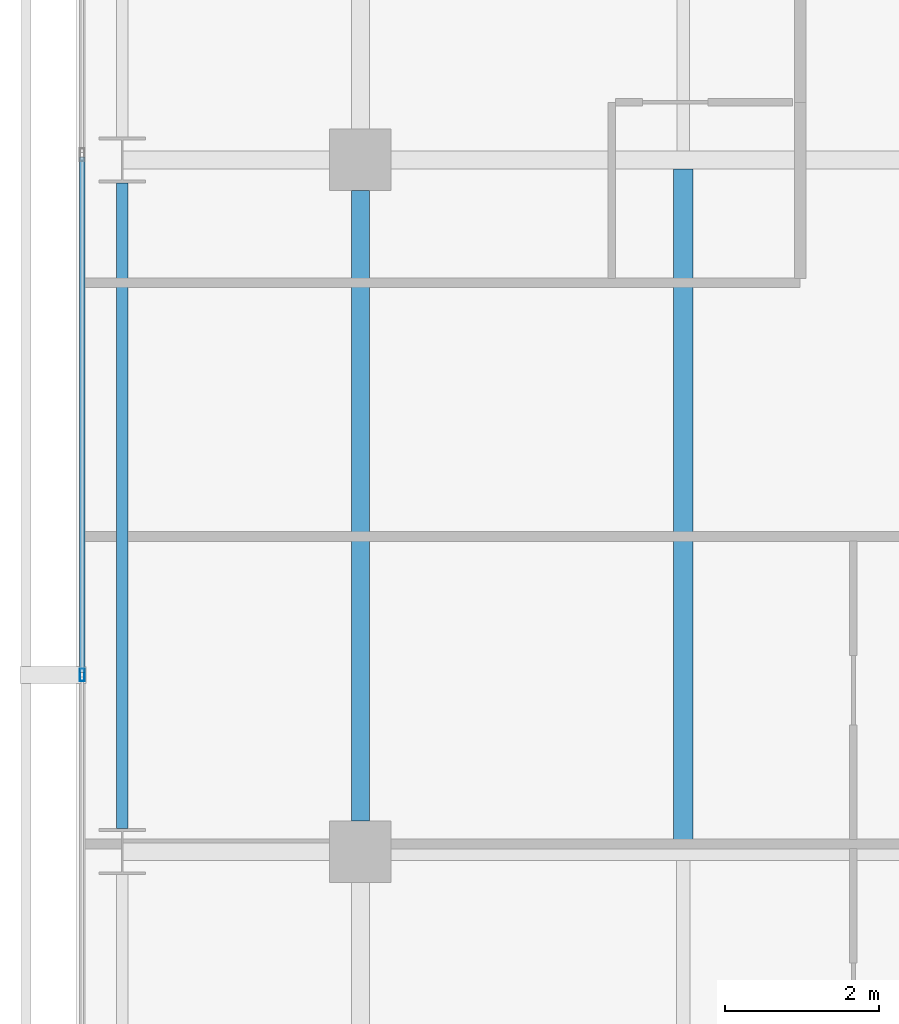
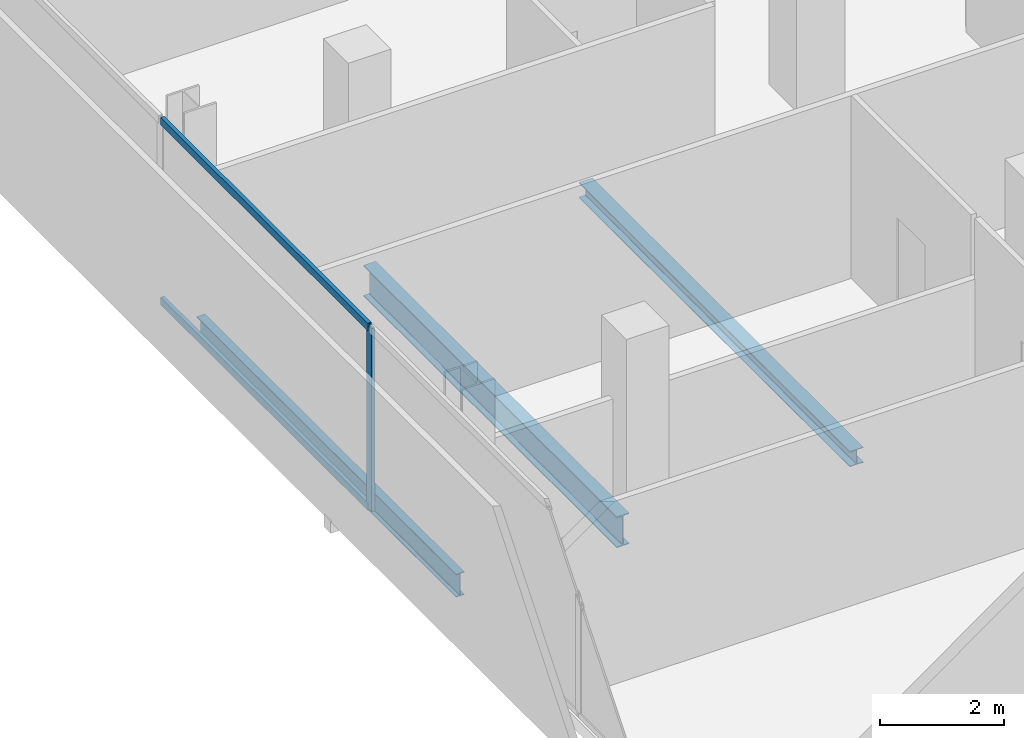
# One storey, part 10 of 34: 3 beams, 3 members, 1 element without a shape of its own.
"""IFC4 building model written with IfcOpenShell, lengths in metres."""

from ifc_helpers import new_model, si_unit, direction, frame, origin, origin_2d, place, context, subcontext, project, spatial, hollow_rectangle, i_section, extrude, material, layer, layer_set, material_profile, profile_set, type_object, element, aggregate, save


model = new_model("IFC4")

# Units and contexts
model_context = context("Model", 3, precision=1e-05, world=origin(), true_north=direction((0.0, 1.0)))
body_context = subcontext(model_context, "Body", "Model", "MODEL_VIEW")
ifc_project = project(units=[si_unit("LENGTHUNIT", "METRE"), si_unit("AREAUNIT", "SQUARE_METRE"), si_unit("VOLUMEUNIT", "CUBIC_METRE"), si_unit("PLANEANGLEUNIT", "RADIAN"), si_unit("MASSUNIT", "GRAM", prefix="KILO")], contexts=[model_context])

# Site, building, storey
site_placement = place(None, origin())
site = spatial("IfcSite", under=ifc_project, at=site_placement, CompositionType="ELEMENT")
building_placement = place(site_placement, origin())
building = spatial("IfcBuilding", under=site, at=building_placement, Name="Maruvema Waterfront Hotel and Observation Tower", CompositionType="ELEMENT")
storey_placement = place(building_placement, frame((0.0, 0.0, 127.39990234375)))
storey = spatial("IfcBuildingStorey", under=building, at=storey_placement, Name="L30", CompositionType="ELEMENT", Elevation=127.39990234375)

# Curtain wall, members
ifc_material_1 = material(Name="Anodised bronze aluminium and solar-control low-E IGU", Category="aluminium")
ifc_layer = layer(ifc_material_1, 0.159912109375, Name="Zone 2 Amber Inner Thermal Curtain Wall System CW-03")
ifc_layer_set = layer_set([ifc_layer], Name="Anodised bronze aluminium and solar-control low-E IGU")
curtain_wall_type = type_object("IfcCurtainWallType", Name="Zone 2 Amber Inner Thermal Curtain Wall System CW-03", PredefinedType="USERDEFINED", material=ifc_layer_set)
curtain_wall_placement = place(storey_placement, origin())
curtain_wall = element("IfcCurtainWall", 1, at=curtain_wall_placement, inside=storey, type_object=curtain_wall_type, Name="L30 Curtain Wall CW-L30-W", ObjectType="UNITISED CURTAIN WALL", PredefinedType="USERDEFINED")
ifc_material_2 = material(Name="Anodised architectural bronze aluminium", Category="aluminium")
ifc_material_profile_1 = material_profile(ifc_material_2, hollow_rectangle(XDim=0.070068359375, YDim=0.14990234375, WallThickness=0.00390625, at=origin_2d()), Name="ALU-T70x150")
ifc_profile_set_1 = profile_set([ifc_material_profile_1], Name="Anodised architectural bronze aluminium")
member_type_1 = type_object("IfcMemberType", Name="Curtain Wall Horizontal Transom ALU-T70x150", PredefinedType="USERDEFINED", material=ifc_profile_set_1)
member_1_placement = place(storey_placement, frame((13.179931640625, 36.03662109375, 0.030029296875), z_axis=(0.0, -1.0, 0.0), x_axis=(1.0, 0.0, 0.0)))
member_1 = element("IfcMember", 2, at=member_1_placement, type_object=member_type_1, Name="CW-03 transom 3.1", ObjectType="TRANSOM", PredefinedType="USERDEFINED", context=body_context, shape_type="SweptSolid", body=[
    extrude(hollow_rectangle(XDim=0.070068359375, YDim=0.14990234375, WallThickness=0.00390625, at=origin_2d()), origin(), (0.0, 0.0, 1.0), 6.70654296875),
])
member_2_placement = place(storey_placement, frame((13.179931640625, 36.03662109375, 3.580078125), z_axis=(0.0, -1.0, 0.0), x_axis=(1.0, 0.0, 0.0)))
member_2 = element("IfcMember", 3, at=member_2_placement, type_object=member_type_1, Name="CW-03 transom 3.2", ObjectType="TRANSOM", PredefinedType="USERDEFINED", context=body_context, shape_type="SweptSolid", body=[
    extrude(hollow_rectangle(XDim=0.070068359375, YDim=0.14990234375, WallThickness=0.00390625, at=origin_2d()), origin(), (0.0, 0.0, 1.0), 6.70654296875),
])
ifc_material_3 = material(Name="Anodised architectural bronze aluminium", Category="aluminium")
ifc_material_profile_2 = material_profile(ifc_material_3, hollow_rectangle(XDim=0.06494140625, YDim=0.1650390625, WallThickness=0.00390625, at=origin_2d()), Name="ALU-M65x165")
ifc_profile_set_2 = profile_set([ifc_material_profile_2], Name="Anodised architectural bronze aluminium")
member_type_2 = type_object("IfcMemberType", Name="Curtain Wall Primary Mullion ALU-M65x165", PredefinedType="MULLION", material=ifc_profile_set_2)
member_3_placement = place(storey_placement, frame((13.179931640625, 29.300048828125, 0.0), z_axis=(0.0, 0.0, 1.0), x_axis=(1.0, 0.0, 0.0)))
member_3 = element("IfcMember", 4, at=member_3_placement, type_object=member_type_2, Name="CW-03 mullion 4", PredefinedType="MULLION", context=body_context, shape_type="SweptSolid", body=[
    extrude(hollow_rectangle(XDim=0.06494140625, YDim=0.1650390625, WallThickness=0.00390625, at=origin_2d()), origin(), (0.0, 0.0, 1.0), 3.610107421875),
])
aggregate(curtain_wall, [member_3, member_1, member_2])

# Beams
ifc_material_4 = material(Name="Steel ASTM A572 Grade 50", Category="steel")
ifc_material_profile_3 = material_profile(ifc_material_4, i_section(OverallWidth=0.153076171875, OverallDepth=0.455078125, WebThickness=0.008056640625, FlangeThickness=0.01318359375, FilletRadius=0.014892578125, at=origin_2d()), Name="W460x60.0")
ifc_profile_set_3 = profile_set([ifc_material_profile_3], Name="Steel ASTM A572 Grade 50")
beam_type_1 = type_object("IfcBeamType", Name="Perimeter Spandrel Beam W460x60.0", PredefinedType="SPANDREL", material=ifc_profile_set_3)
beam_1_placement = place(storey_placement, frame((13.699951171875, 27.300048828125, -0.46728515625), z_axis=(0.0, 1.0, 0.0), x_axis=(-1.0, 0.0, 0.0)))
element("IfcBeam", 5, at=beam_1_placement, inside=storey, type_object=beam_type_1, Name="L30 Floor Girder NS-03", PredefinedType="SPANDREL", context=body_context, shape_type="SweptSolid", body=[
    extrude(i_section(OverallWidth=0.153076171875, OverallDepth=0.455078125, WebThickness=0.008056640625, FlangeThickness=0.01318359375, FilletRadius=0.014892578125, at=origin_2d()), origin(), (0.0, 0.0, 1.0), 8.39990234375),
])
ifc_material_5 = material(Name="Steel ASTM A572 Grade 50", Category="steel")
ifc_material_profile_4 = material_profile(ifc_material_5, i_section(OverallWidth=0.22900390625, OverallDepth=0.612060546875, WebThickness=0.011962890625, FlangeThickness=0.01953125, FilletRadius=0.01806640625, at=origin_2d()), Name="W610x125.0")
ifc_profile_set_4 = profile_set([ifc_material_profile_4], Name="Steel ASTM A572 Grade 50")
beam_type_2 = type_object("IfcBeamType", Name="Primary Floor Girder W610x125.0", PredefinedType="BEAM", material=ifc_profile_set_4)
beam_2_placement = place(storey_placement, frame((16.800048828125, 27.39990234375, -0.5458984375), z_axis=(0.0, 1.0, 0.0), x_axis=(-1.0, 0.0, 0.0)))
element("IfcBeam", 6, at=beam_2_placement, inside=storey, type_object=beam_type_2, Name="L30 Floor Girder NS-07", PredefinedType="BEAM", context=body_context, shape_type="SweptSolid", body=[
    extrude(i_section(OverallWidth=0.22900390625, OverallDepth=0.612060546875, WebThickness=0.011962890625, FlangeThickness=0.01953125, FilletRadius=0.01806640625, at=origin_2d()), origin(), (0.0, 0.0, 1.0), 8.2001953125),
])
ifc_material_6 = material(Name="Steel ASTM A572 Grade 50", Category="steel")
ifc_material_profile_5 = material_profile(ifc_material_6, i_section(OverallWidth=0.25390625, OverallDepth=0.305908203125, WebThickness=0.0087890625, FlangeThickness=0.0146484375, FilletRadius=0.014892578125, at=origin_2d()), Name="W310x79.0")
ifc_profile_set_5 = profile_set([ifc_material_profile_5], Name="Steel ASTM A572 Grade 50")
beam_type_3 = type_object("IfcBeamType", Name="Secondary Floor Joist W310x79.0", PredefinedType="JOIST", material=ifc_profile_set_5)
beam_3_placement = place(storey_placement, frame((21.0, 27.114501953125, -0.392822265625), z_axis=(0.0, 1.0, 0.0), x_axis=(-1.0, 0.0, 0.0)))
element("IfcBeam", 7, at=beam_3_placement, inside=storey, type_object=beam_type_3, Name="L30 Secondary Floor Joist JS-03", PredefinedType="JOIST", context=body_context, shape_type="SweptSolid", body=[
    extrude(i_section(OverallWidth=0.25390625, OverallDepth=0.305908203125, WebThickness=0.0087890625, FlangeThickness=0.0146484375, FilletRadius=0.014892578125, at=origin_2d()), origin(), (0.0, 0.0, 1.0), 8.77099609375),
])

save(model, "model.ifc")
